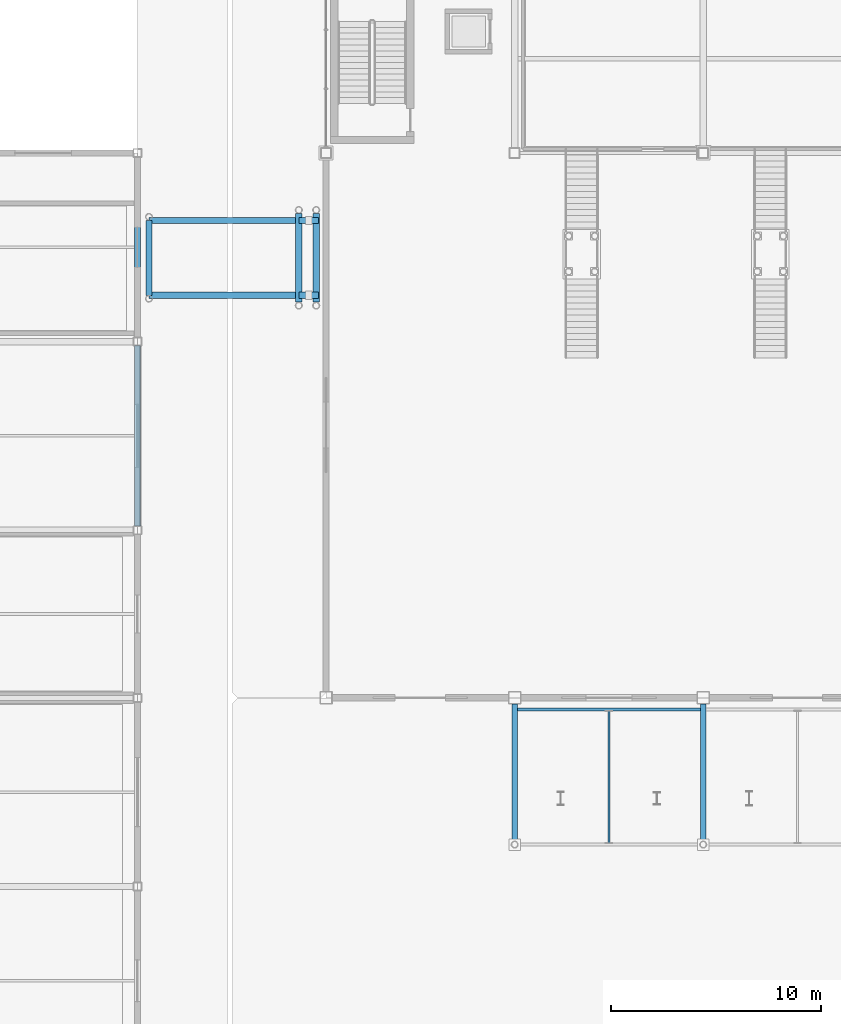
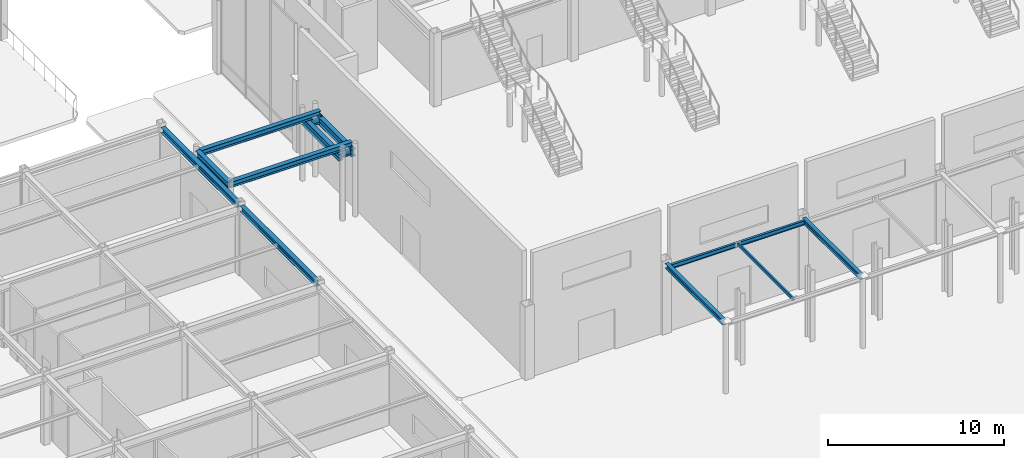
# One storey, part 34 of 123: 12 beams, 1 member.
"""IFC4 building model written with IfcOpenShell, lengths in metres."""

from ifc_helpers import new_model, si_unit, direction, frame, origin, origin_2d, place, context, subcontext, project, spatial, hollow_rectangle, i_section, extrude, material, material_profile, profile_set, type_object, element, save


model = new_model("IFC4")

# Units and contexts
model_context = context("Model", 3, precision=1e-05, world=origin(), true_north=direction((0.0, 1.0)))
body_context = subcontext(model_context, "Body", "Model", "MODEL_VIEW")
ifc_project = project(units=[si_unit("LENGTHUNIT", "METRE"), si_unit("AREAUNIT", "SQUARE_METRE"), si_unit("VOLUMEUNIT", "CUBIC_METRE"), si_unit("PLANEANGLEUNIT", "RADIAN"), si_unit("MASSUNIT", "GRAM", prefix="KILO")], contexts=[model_context])

# Site, building, storey
site_placement = place(None, origin())
site = spatial("IfcSite", under=ifc_project, at=site_placement, CompositionType="ELEMENT")
building_placement = place(site_placement, origin())
building = spatial("IfcBuilding", under=site, at=building_placement, Name="Suzunagisa Mobility Hub", CompositionType="ELEMENT")
storey_placement = place(building_placement, origin())
storey = spatial("IfcBuildingStorey", under=building, at=storey_placement, Name="L00", CompositionType="ELEMENT", Elevation=0.0)

# Member
ifc_material_1 = material(Name="Steel SN400B", Category="steel")
ifc_material_profile_1 = material_profile(ifc_material_1, hollow_rectangle(XDim=0.10009765625, YDim=0.199951171875, WallThickness=0.009033203125, at=origin_2d()), Name="RHS-200x100x9")
ifc_profile_set_1 = profile_set([ifc_material_profile_1], Name="Steel SN400B")
member_type = type_object("IfcMemberType", Name="Roof Truss and Brace Member MB-04 RHS-200x100x9", PredefinedType="PURLIN", material=ifc_profile_set_1)
member_placement = place(storey_placement, frame((58.5, 29.080078125, 4.840087890625), z_axis=(0.0, 1.0, 0.0), x_axis=(-1.0, 0.0, 0.0)))
element("IfcMember", 1, at=member_placement, inside=storey, type_object=member_type, Name="L00 Entrance Canopy Purlin CP-1", PredefinedType="PURLIN", context=body_context, shape_type="SweptSolid", body=[
    extrude(hollow_rectangle(XDim=0.10009765625, YDim=0.199951171875, WallThickness=0.009033203125, at=origin_2d()), origin(), (0.0, 0.0, 1.0), 6.2900390625),
])

# Beams
ifc_material_profile_2 = material_profile(ifc_material_1, i_section(OverallWidth=0.25, OverallDepth=0.340087890625, WebThickness=0.009033203125, FlangeThickness=0.013916015625, FilletRadius=0.010009765625, at=origin_2d()), Name="H-340x250x9x14")
ifc_profile_set_2 = profile_set([ifc_material_profile_2], Name="Steel SN400B")
beam_type_1 = type_object("IfcBeamType", Name="Steel Beam BM-02 H-340x250x9x14", PredefinedType="SPANDREL", material=ifc_profile_set_2)
for number, where, z_axis, x_axis, name in (
    (2, (54.0, 29.159912109375, 4.77001953125), (0.0, 1.0, 0.0), (-1.0, 0.0, 0.0), "L00 Entrance Canopy Outrigger 2190"),
    (3, (63.0, 29.159912109375, 4.77001953125), (0.0, 1.0, 0.0), (-1.0, 0.0, 0.0), "L00 Entrance Canopy Outrigger 2191"),
):
    element("IfcBeam", number, at=place(storey_placement, frame(where, z_axis=z_axis, x_axis=x_axis)), inside=storey, type_object=beam_type_1, Name=name, PredefinedType="SPANDREL", context=body_context, shape_type="SweptSolid", body=[
        extrude(i_section(OverallWidth=0.25, OverallDepth=0.340087890625, WebThickness=0.009033203125, FlangeThickness=0.013916015625, FilletRadius=0.010009765625, at=origin_2d()), origin(), (0.0, 0.0, 1.0), 6.5400390625),
    ])
ifc_material_2 = material(Name="Steel SN490B", Category="steel")
ifc_material_profile_3 = material_profile(ifc_material_2, i_section(OverallWidth=0.300048828125, OverallDepth=0.488037109375, WebThickness=0.010986328125, FlangeThickness=0.01806640625, FilletRadius=0.012939453125, at=origin_2d()), Name="H-488x300x11x18")
ifc_profile_set_3 = profile_set([ifc_material_profile_3], Name="Steel SN490B")
beam_type_2 = type_object("IfcBeamType", Name="Steel Beam BM-06 H-488x300x11x18", PredefinedType="BEAM", material=ifc_profile_set_3)
beam_1_placement = place(storey_placement, frame((36.550048828125, 55.2099609375, 4.615966796875), z_axis=(0.0, 1.0, 0.0), x_axis=(-1.0, 0.0, 0.0)))
element("IfcBeam", 4, at=beam_1_placement, inside=storey, type_object=beam_type_2, Name="L01 Skybridge Fixed Crosshead SB-01", PredefinedType="BEAM", context=body_context, shape_type="SweptSolid", body=[
    extrude(i_section(OverallWidth=0.300048828125, OverallDepth=0.488037109375, WebThickness=0.010986328125, FlangeThickness=0.01806640625, FilletRadius=0.012939453125, at=origin_2d()), origin(), (0.0, 0.0, 1.0), 3.580078125),
])
for number, where, z_axis, x_axis, name in (
    (5, (43.699951171875, 54.8798828125, 4.22607421875), (0.0, 1.0, 0.0), (-1.0, 0.0, 0.0), "L01 Skybridge Seat Crosshead SB-01-W"),
    (6, (44.530029296875, 54.8798828125, 4.22607421875), (0.0, 1.0, 0.0), (-1.0, 0.0, 0.0), "L01 Skybridge Seat Crosshead SB-01-E"),
):
    element("IfcBeam", number, at=place(storey_placement, frame(where, z_axis=z_axis, x_axis=x_axis)), inside=storey, type_object=beam_type_2, Name=name, PredefinedType="BEAM", context=body_context, shape_type="SweptSolid", body=[
        extrude(i_section(OverallWidth=0.300048828125, OverallDepth=0.488037109375, WebThickness=0.010986328125, FlangeThickness=0.01806640625, FilletRadius=0.012939453125, at=origin_2d()), origin(), (0.0, 0.0, 1.0), 4.240234375),
    ])
for number, where, z_axis, x_axis, name in (
    (7, (43.699951171875, 55.219970703125, 4.22607421875), (1.0, 0.0, 0.0), (0.0, 1.0, 0.0), "L01 Skybridge 950mm Bearing Seat SB-01-A"),
    (8, (43.699951171875, 58.780029296875, 4.22607421875), (1.0, 0.0, 0.0), (0.0, 1.0, 0.0), "L01 Skybridge 950mm Bearing Seat SB-01-B"),
):
    element("IfcBeam", number, at=place(storey_placement, frame(where, z_axis=z_axis, x_axis=x_axis)), inside=storey, type_object=beam_type_2, Name=name, PredefinedType="BEAM", context=body_context, shape_type="SweptSolid", body=[
        extrude(i_section(OverallWidth=0.300048828125, OverallDepth=0.488037109375, WebThickness=0.010986328125, FlangeThickness=0.01806640625, FilletRadius=0.012939453125, at=origin_2d()), origin(), (0.0, 0.0, 1.0), 0.949951171875),
    ])
ifc_material_profile_4 = material_profile(ifc_material_2, i_section(OverallWidth=0.300048828125, OverallDepth=0.389892578125, WebThickness=0.010009765625, FlangeThickness=0.01611328125, FilletRadius=0.012939453125, at=origin_2d()), Name="H-390x300x10x16")
ifc_profile_set_4 = profile_set([ifc_material_profile_4], Name="Steel SN490B")
beam_type_3 = type_object("IfcBeamType", Name="Steel Beam BM-13 H-390x300x10x16", PredefinedType="SPANDREL", material=ifc_profile_set_4)
for number, where, z_axis, x_axis, name in (
    (9, (36.0, 44.196044921875, 4.655029296875), (0.0, 1.0, 0.0), (-1.0, 0.0, 0.0), "L00 Primary Girder GY-154"),
    (10, (36.0, 53.196044921875, 4.655029296875), (0.0, 1.0, 0.0), (-1.0, 0.0, 0.0), "L00 Primary Girder GY-155"),
):
    element("IfcBeam", number, at=place(storey_placement, frame(where, z_axis=z_axis, x_axis=x_axis)), inside=storey, type_object=beam_type_3, Name=name, PredefinedType="SPANDREL", context=body_context, shape_type="SweptSolid", body=[
        extrude(i_section(OverallWidth=0.300048828125, OverallDepth=0.389892578125, WebThickness=0.010009765625, FlangeThickness=0.01611328125, FilletRadius=0.012939453125, at=origin_2d()), origin(), (0.0, 0.0, 1.0), 8.60791015625),
    ])
ifc_material_profile_5 = material_profile(ifc_material_2, i_section(OverallWidth=0.300048828125, OverallDepth=0.389892578125, WebThickness=0.010009765625, FlangeThickness=0.01611328125, FilletRadius=0.012939453125, at=origin_2d()), Name="H-390x300x10x16")
ifc_profile_set_5 = profile_set([ifc_material_profile_5], Name="Steel SN490B")
beam_type_4 = type_object("IfcBeamType", Name="Steel Beam BM-17 H-390x300x10x16", PredefinedType="T_BEAM", material=ifc_profile_set_5)
for number, where, z_axis, x_axis, name in (
    (11, (36.550048828125, 55.219970703125, 4.6650390625), (1.0, 0.0, 0.0), (0.0, 1.0, 0.0), "L01 Bridge Girder SB-01-A"),
    (12, (36.550048828125, 58.780029296875, 4.6650390625), (1.0, 0.0, 0.0), (0.0, 1.0, 0.0), "L01 Bridge Girder SB-01-B"),
):
    element("IfcBeam", number, at=place(storey_placement, frame(where, z_axis=z_axis, x_axis=x_axis)), inside=storey, type_object=beam_type_4, Name=name, PredefinedType="T_BEAM", context=body_context, shape_type="SweptSolid", body=[
        extrude(i_section(OverallWidth=0.300048828125, OverallDepth=0.389892578125, WebThickness=0.010009765625, FlangeThickness=0.01611328125, FilletRadius=0.012939453125, at=origin_2d()), origin(), (0.0, 0.0, 1.0), 8.02001953125),
    ])
ifc_material_profile_6 = material_profile(ifc_material_1, i_section(OverallWidth=0.14990234375, OverallDepth=0.300048828125, WebThickness=0.006591796875, FlangeThickness=0.009033203125, FilletRadius=0.008056640625, at=origin_2d()), Name="H-300x150x6.5x9")
ifc_profile_set_6 = profile_set([ifc_material_profile_6], Name="Steel SN400B")
beam_type_5 = type_object("IfcBeamType", Name="Steel Beam BM-24 H-300x150x6.5x9", PredefinedType="JOIST", material=ifc_profile_set_6)
beam_2_placement = place(storey_placement, frame((54.1298828125, 35.449951171875, 4.7900390625), z_axis=(1.0, 0.0, 0.0), x_axis=(0.0, 1.0, 0.0)))
element("IfcBeam", 13, at=beam_2_placement, inside=storey, type_object=beam_type_5, Name="L00 Entrance Canopy Ledger Beam 2199", PredefinedType="JOIST", context=body_context, shape_type="SweptSolid", body=[
    extrude(i_section(OverallWidth=0.14990234375, OverallDepth=0.300048828125, WebThickness=0.006591796875, FlangeThickness=0.009033203125, FilletRadius=0.008056640625, at=origin_2d()), origin(), (0.0, 0.0, 1.0), 8.740234375),
])

save(model, "model.ifc")
